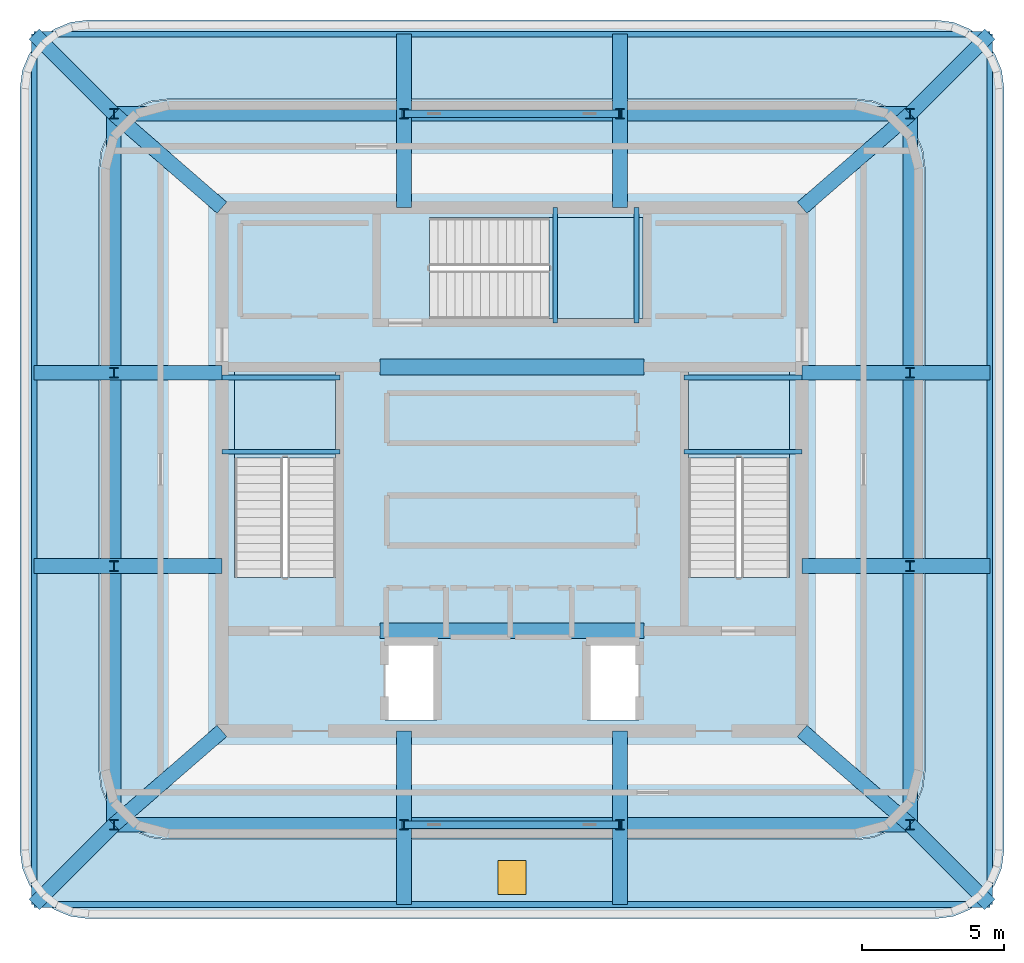
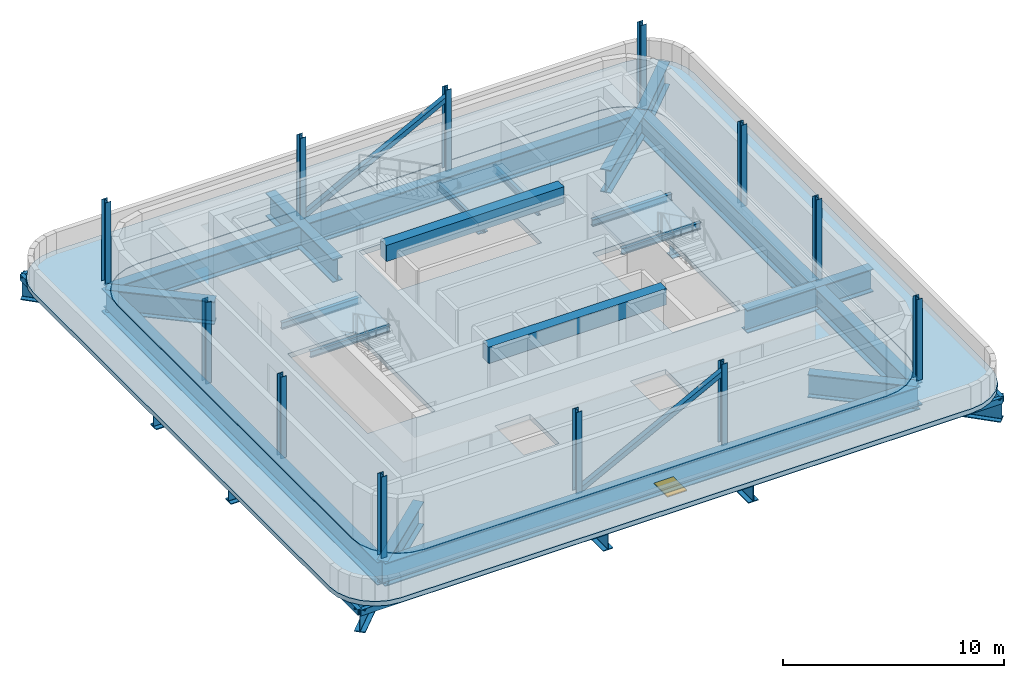
# One storey, part 1 of 5: 32 beams, 12 columns, 5 slabs, 2 members, 1 door, 1 opening, 3 elements without a shape of their own.
"""IFC4 building model written with IfcOpenShell, lengths in metres."""

from ifc_helpers import new_model, si_unit, direction, frame, origin, origin_2d, place, context, subcontext, project, spatial, polyline, rectangle, hollow_rectangle, i_section, outline, extrude, material, layer, layer_set, material_profile, profile_set, type_object, element, fill, aggregate, save


model = new_model("IFC4")

# Units and contexts
model_context = context("Model", 3, precision=1e-05, world=origin(), true_north=direction((0.0, 1.0)))
body_context = subcontext(model_context, "Body", "Model", "MODEL_VIEW")
ifc_project = project(units=[si_unit("LENGTHUNIT", "METRE"), si_unit("AREAUNIT", "SQUARE_METRE"), si_unit("VOLUMEUNIT", "CUBIC_METRE"), si_unit("PLANEANGLEUNIT", "RADIAN"), si_unit("MASSUNIT", "GRAM", prefix="KILO")], contexts=[model_context])

# Site, building, storey
site_placement = place(None, origin())
site = spatial("IfcSite", under=ifc_project, at=site_placement, CompositionType="ELEMENT")
building_placement = place(site_placement, origin())
building = spatial("IfcBuilding", under=site, at=building_placement, Name="Punatoya Terracotta Tower", CompositionType="ELEMENT")
storey_placement = place(building_placement, frame((0.0, 0.0, 361.800048828125)))
storey = spatial("IfcBuildingStorey", under=building, at=storey_placement, Name="L85", CompositionType="ELEMENT", Elevation=361.800048828125)

# Columns
ifc_material_1 = material(Name="Steel S355", Category="steel")
ifc_material_profile_1 = material_profile(ifc_material_1, i_section(OverallWidth=0.300048828125, OverallDepth=0.360107421875, WebThickness=0.012451171875, FlangeThickness=0.0224609375, FilletRadius=0.01806640625, at=origin_2d()))
ifc_profile_set_1 = profile_set([ifc_material_profile_1], Name="Steel S355")
column_type = type_object("IfcColumnType", Name="COL-CR-2", PredefinedType="COLUMN", material=ifc_profile_set_1)
for number, where, z_axis, x_axis, name in (
    (1, (-3.800048828125, -12.5, 0.0), (0.0, 0.0, 1.0), (1.0, 0.0, 0.0), "L85 Baradari Crown Column CS1"),
    (2, (3.800048828125, -12.5, 0.0), (0.0, 0.0, 1.0), (1.0, 0.0, 0.0), "L85 Baradari Crown Column CS2"),
    (3, (-3.800048828125, 12.5, 0.0), (0.0, 0.0, 1.0), (1.0, 0.0, 0.0), "L85 Baradari Crown Column CN1"),
    (4, (3.800048828125, 12.5, 0.0), (0.0, 0.0, 1.0), (1.0, 0.0, 0.0), "L85 Baradari Crown Column CN2"),
    (5, (-14.0, -3.39990234375, 0.0), (0.0, 0.0, 1.0), (1.0, 0.0, 0.0), "L85 Baradari Crown Column CW1"),
    (6, (-14.0, 3.39990234375, 0.0), (0.0, 0.0, 1.0), (1.0, 0.0, 0.0), "L85 Baradari Crown Column CW2"),
    (7, (14.0, -3.39990234375, 0.0), (0.0, 0.0, 1.0), (1.0, 0.0, 0.0), "L85 Baradari Crown Column CE1"),
    (8, (14.0, 3.39990234375, 0.0), (0.0, 0.0, 1.0), (1.0, 0.0, 0.0), "L85 Baradari Crown Column CE2"),
    (9, (-14.0, -12.5, 0.0), (0.0, 0.0, 1.0), (1.0, 0.0, 0.0), "L85 Baradari Crown Column CRN1"),
    (10, (14.0, -12.5, 0.0), (0.0, 0.0, 1.0), (1.0, 0.0, 0.0), "L85 Baradari Crown Column CRN2"),
    (11, (14.0, 12.5, 0.0), (0.0, 0.0, 1.0), (1.0, 0.0, 0.0), "L85 Baradari Crown Column CRN3"),
    (12, (-14.0, 12.5, 0.0), (0.0, 0.0, 1.0), (1.0, 0.0, 0.0), "L85 Baradari Crown Column CRN4"),
):
    element("IfcColumn", number, at=place(storey_placement, frame(where, z_axis=z_axis, x_axis=x_axis)), inside=storey, type_object=column_type, Name=name, PredefinedType="COLUMN", context=body_context, shape_type="SweptSolid", body=[
        extrude(i_section(OverallWidth=0.300048828125, OverallDepth=0.360107421875, WebThickness=0.012451171875, FlangeThickness=0.0224609375, FilletRadius=0.01806640625, at=origin_2d()), origin(), (0.0, 0.0, 1.0), 4.498046875),
    ])

# Beams
ifc_material_profile_2 = material_profile(ifc_material_1, hollow_rectangle(XDim=0.199951171875, YDim=0.320068359375, WallThickness=0.01611328125, at=origin_2d()))
ifc_profile_set_2 = profile_set([ifc_material_profile_2], Name="Steel S355")
beam_type_1 = type_object("IfcBeamType", Name="BM-CRN-320", PredefinedType="BEAM", material=ifc_profile_set_2)
for number, where, z_axis, x_axis, name in (
    (13, (-16.800048828125, -15.300048828125, -0.43994140625), (1.0, 0.0, 0.0), (0.0, 1.0, 0.0), "BM-L85-OS"),
    (14, (-16.800048828125, 15.300048828125, -0.43994140625), (1.0, 0.0, 0.0), (0.0, 1.0, 0.0), "BM-L85-ON"),
):
    element("IfcBeam", number, at=place(storey_placement, frame(where, z_axis=z_axis, x_axis=x_axis)), inside=storey, type_object=beam_type_1, Name=name, PredefinedType="BEAM", context=body_context, shape_type="SweptSolid", body=[
        extrude(hollow_rectangle(XDim=0.199951171875, YDim=0.320068359375, WallThickness=0.01611328125, at=origin_2d()), origin(), (0.0, 0.0, 1.0), 33.60009765625),
    ])
for number, where, z_axis, x_axis, name in (
    (15, (-16.800048828125, -15.300048828125, -0.43994140625), (0.0, 1.0, 0.0), (-1.0, 0.0, 0.0), "BM-L85-OW"),
    (16, (16.800048828125, -15.300048828125, -0.43994140625), (0.0, 1.0, 0.0), (-1.0, 0.0, 0.0), "BM-L85-OE"),
):
    element("IfcBeam", number, at=place(storey_placement, frame(where, z_axis=z_axis, x_axis=x_axis)), inside=storey, type_object=beam_type_1, Name=name, PredefinedType="BEAM", context=body_context, shape_type="SweptSolid", body=[
        extrude(hollow_rectangle(XDim=0.199951171875, YDim=0.320068359375, WallThickness=0.01611328125, at=origin_2d()), origin(), (0.0, 0.0, 1.0), 30.60009765625),
    ])
ifc_material_2 = material(Name="Concrete C50/60", Category="concrete")
ifc_material_profile_3 = material_profile(ifc_material_2, rectangle(XDim=0.550048828125, YDim=0.89990234375, at=origin_2d()))
ifc_profile_set_3 = profile_set([ifc_material_profile_3], Name="Concrete C50/60")
beam_type_2 = type_object("IfcBeamType", Name="BM-RC-900", PredefinedType="LINTEL", material=ifc_profile_set_3)
for number, where, z_axis, x_axis, name in (
    (17, (-4.64990234375, -5.679931640625, 3.829833984375), (1.0, 0.0, 0.0), (0.0, 1.0, 0.0), "L85 Core Coupling Lintel CSW"),
    (18, (-4.64990234375, 3.60009765625, 3.829833984375), (1.0, 0.0, 0.0), (0.0, 1.0, 0.0), "L85 Core Coupling Lintel CNW"),
):
    element("IfcBeam", number, at=place(storey_placement, frame(where, z_axis=z_axis, x_axis=x_axis)), inside=storey, type_object=beam_type_2, Name=name, PredefinedType="LINTEL", context=body_context, shape_type="SweptSolid", body=[
        extrude(rectangle(XDim=0.550048828125, YDim=0.89990234375, at=origin_2d()), origin(), (0.0, 0.0, 1.0), 9.2998046875),
    ])
ifc_material_profile_4 = material_profile(ifc_material_1, i_section(OverallWidth=0.169921875, OverallDepth=0.360107421875, WebThickness=0.008056640625, FlangeThickness=0.0126953125, FilletRadius=0.01806640625, at=origin_2d()))
ifc_profile_set_4 = profile_set([ifc_material_profile_4], Name="Steel S355")
beam_type_3 = type_object("IfcBeamType", Name="BM-SEC-360", PredefinedType="JOIST", material=ifc_profile_set_4)
for number, where, z_axis, x_axis, name in (
    (19, (-10.199951171875, 0.6201171875, 1.869873046875), (1.0, 0.0, 0.0), (0.0, 1.0, 0.0), "BM-L85-ST-1-LD1A"),
    (20, (-10.199951171875, 3.22998046875, 1.869873046875), (1.0, 0.0, 0.0), (0.0, 1.0, 0.0), "BM-L85-ST-1-LD1B"),
    (21, (6.050048828125, 0.6201171875, 1.869873046875), (1.0, 0.0, 0.0), (0.0, 1.0, 0.0), "BM-L85-ST-2-LD1A"),
    (22, (6.050048828125, 3.22998046875, 1.869873046875), (1.0, 0.0, 0.0), (0.0, 1.0, 0.0), "BM-L85-ST-2-LD1B"),
):
    element("IfcBeam", number, at=place(storey_placement, frame(where, z_axis=z_axis, x_axis=x_axis)), inside=storey, type_object=beam_type_3, Name=name, PredefinedType="JOIST", context=body_context, shape_type="SweptSolid", body=[
        extrude(i_section(OverallWidth=0.169921875, OverallDepth=0.360107421875, WebThickness=0.008056640625, FlangeThickness=0.0126953125, FilletRadius=0.01806640625, at=origin_2d()), origin(), (0.0, 0.0, 1.0), 4.14990234375),
    ])
for number, where, z_axis, x_axis, name in (
    (23, (1.52001953125, 5.14990234375, 1.869873046875), (0.0, 1.0, 0.0), (-1.0, 0.0, 0.0), "BM-L85-ST-3-LD1A"),
    (24, (4.3798828125, 5.14990234375, 1.869873046875), (0.0, 1.0, 0.0), (-1.0, 0.0, 0.0), "BM-L85-ST-3-LD1B"),
):
    element("IfcBeam", number, at=place(storey_placement, frame(where, z_axis=z_axis, x_axis=x_axis)), inside=storey, type_object=beam_type_3, Name=name, PredefinedType="JOIST", context=body_context, shape_type="SweptSolid", body=[
        extrude(i_section(OverallWidth=0.169921875, OverallDepth=0.360107421875, WebThickness=0.008056640625, FlangeThickness=0.0126953125, FilletRadius=0.01806640625, at=origin_2d()), origin(), (0.0, 0.0, 1.0), 4.050048828125),
    ])
ifc_material_3 = material(Name="Steel S460", Category="steel")
ifc_material_profile_5 = material_profile(ifc_material_3, i_section(OverallWidth=0.52001953125, OverallDepth=1.280029296875, WebThickness=0.031982421875, FlangeThickness=0.050048828125, FilletRadius=0.01806640625, at=origin_2d()))
ifc_profile_set_5 = profile_set([ifc_material_profile_5], Name="Steel S460")
beam_type_4 = type_object("IfcBeamType", Name="BM-TG-NCK", PredefinedType="BEAM", material=ifc_profile_set_5)
for number, where, z_axis, x_axis, name in (
    (25, (-3.800048828125, -15.300048828125, -0.920166015625), (0.0, 1.0, 0.0), (-1.0, 0.0, 0.0), "BM-L85-CS1"),
    (26, (3.800048828125, -15.300048828125, -0.920166015625), (0.0, 1.0, 0.0), (-1.0, 0.0, 0.0), "BM-L85-CS2"),
    (27, (-3.800048828125, 9.199951171875, -0.920166015625), (0.0, 1.0, 0.0), (-1.0, 0.0, 0.0), "BM-L85-CN1"),
    (28, (3.800048828125, 9.199951171875, -0.920166015625), (0.0, 1.0, 0.0), (-1.0, 0.0, 0.0), "BM-L85-CN2"),
):
    element("IfcBeam", number, at=place(storey_placement, frame(where, z_axis=z_axis, x_axis=x_axis)), inside=storey, type_object=beam_type_4, Name=name, PredefinedType="BEAM", context=body_context, shape_type="SweptSolid", body=[
        extrude(i_section(OverallWidth=0.52001953125, OverallDepth=1.280029296875, WebThickness=0.031982421875, FlangeThickness=0.050048828125, FilletRadius=0.01806640625, at=origin_2d()), origin(), (0.0, 0.0, 1.0), 6.10009765625),
    ])
for number, where, z_axis, x_axis, name in (
    (29, (-16.800048828125, -3.39990234375, -0.920166015625), (1.0, 0.0, 0.0), (0.0, 1.0, 0.0), "BM-L85-CW1"),
    (30, (-16.800048828125, 3.39990234375, -0.920166015625), (1.0, 0.0, 0.0), (0.0, 1.0, 0.0), "BM-L85-CW2"),
    (31, (10.199951171875, -3.39990234375, -0.920166015625), (1.0, 0.0, 0.0), (0.0, 1.0, 0.0), "BM-L85-CE1"),
    (32, (10.199951171875, 3.39990234375, -0.920166015625), (1.0, 0.0, 0.0), (0.0, 1.0, 0.0), "BM-L85-CE2"),
):
    element("IfcBeam", number, at=place(storey_placement, frame(where, z_axis=z_axis, x_axis=x_axis)), inside=storey, type_object=beam_type_4, Name=name, PredefinedType="BEAM", context=body_context, shape_type="SweptSolid", body=[
        extrude(i_section(OverallWidth=0.52001953125, OverallDepth=1.280029296875, WebThickness=0.031982421875, FlangeThickness=0.050048828125, FilletRadius=0.01806640625, at=origin_2d()), origin(), (0.0, 0.0, 1.0), 6.60009765625),
    ])
beam_1_placement = place(storey_placement, frame((-16.800048828125, -15.300048828125, -0.920166015625), z_axis=(0.707106781187, 0.707106781187, 0.0), x_axis=(-0.707106781187, 0.707106781187, 0.0)))
element("IfcBeam", 33, at=beam_1_placement, inside=storey, type_object=beam_type_4, Name="BM-L85-CD1A", PredefinedType="BEAM", context=body_context, shape_type="SweptSolid", body=[
    extrude(i_section(OverallWidth=0.52001953125, OverallDepth=1.280029296875, WebThickness=0.031982421875, FlangeThickness=0.050048828125, FilletRadius=0.01806640625, at=origin_2d()), origin(), (0.0, 0.0, 1.0), 3.9599609375),
])
beam_2_placement = place(storey_placement, frame((-14.0, -12.5, -0.920166015625), z_axis=(0.755032486424, 0.655687383167, 0.0), x_axis=(-0.655687383167, 0.755032486424, 0.0)))
element("IfcBeam", 34, at=beam_2_placement, inside=storey, type_object=beam_type_4, Name="BM-L85-CD1B", PredefinedType="BEAM", context=body_context, shape_type="SweptSolid", body=[
    extrude(i_section(OverallWidth=0.52001953125, OverallDepth=1.280029296875, WebThickness=0.031982421875, FlangeThickness=0.050048828125, FilletRadius=0.01806640625, at=origin_2d()), origin(), (0.0, 0.0, 1.0), 5.032958984375),
])
beam_3_placement = place(storey_placement, frame((16.800048828125, -15.300048828125, -0.920166015625), z_axis=(-0.707106781187, 0.707106781187, 0.0), x_axis=(-0.707106781187, -0.707106781187, 0.0)))
element("IfcBeam", 35, at=beam_3_placement, inside=storey, type_object=beam_type_4, Name="BM-L85-CD2A", PredefinedType="BEAM", context=body_context, shape_type="SweptSolid", body=[
    extrude(i_section(OverallWidth=0.52001953125, OverallDepth=1.280029296875, WebThickness=0.031982421875, FlangeThickness=0.050048828125, FilletRadius=0.01806640625, at=origin_2d()), origin(), (0.0, 0.0, 1.0), 3.9599609375),
])
beam_4_placement = place(storey_placement, frame((14.0, -12.5, -0.920166015625), z_axis=(-0.755032486424, 0.655687383167, 0.0), x_axis=(-0.655687383167, -0.755032486424, 0.0)))
element("IfcBeam", 36, at=beam_4_placement, inside=storey, type_object=beam_type_4, Name="BM-L85-CD2B", PredefinedType="BEAM", context=body_context, shape_type="SweptSolid", body=[
    extrude(i_section(OverallWidth=0.52001953125, OverallDepth=1.280029296875, WebThickness=0.031982421875, FlangeThickness=0.050048828125, FilletRadius=0.01806640625, at=origin_2d()), origin(), (0.0, 0.0, 1.0), 5.032958984375),
])
beam_5_placement = place(storey_placement, frame((16.800048828125, 15.300048828125, -0.920166015625), z_axis=(-0.707106781187, -0.707106781187, 0.0), x_axis=(0.707106781187, -0.707106781187, 0.0)))
element("IfcBeam", 37, at=beam_5_placement, inside=storey, type_object=beam_type_4, Name="BM-L85-CD3A", PredefinedType="BEAM", context=body_context, shape_type="SweptSolid", body=[
    extrude(i_section(OverallWidth=0.52001953125, OverallDepth=1.280029296875, WebThickness=0.031982421875, FlangeThickness=0.050048828125, FilletRadius=0.01806640625, at=origin_2d()), origin(), (0.0, 0.0, 1.0), 3.9599609375),
])
beam_6_placement = place(storey_placement, frame((14.0, 12.5, -0.920166015625), z_axis=(-0.755032486424, -0.655687383167, 0.0), x_axis=(0.655687383167, -0.755032486424, 0.0)))
element("IfcBeam", 38, at=beam_6_placement, inside=storey, type_object=beam_type_4, Name="BM-L85-CD3B", PredefinedType="BEAM", context=body_context, shape_type="SweptSolid", body=[
    extrude(i_section(OverallWidth=0.52001953125, OverallDepth=1.280029296875, WebThickness=0.031982421875, FlangeThickness=0.050048828125, FilletRadius=0.01806640625, at=origin_2d()), origin(), (0.0, 0.0, 1.0), 5.032958984375),
])
beam_7_placement = place(storey_placement, frame((-16.800048828125, 15.300048828125, -0.920166015625), z_axis=(0.707106781187, -0.707106781187, 0.0), x_axis=(0.707106781187, 0.707106781187, 0.0)))
element("IfcBeam", 39, at=beam_7_placement, inside=storey, type_object=beam_type_4, Name="BM-L85-CD4A", PredefinedType="BEAM", context=body_context, shape_type="SweptSolid", body=[
    extrude(i_section(OverallWidth=0.52001953125, OverallDepth=1.280029296875, WebThickness=0.031982421875, FlangeThickness=0.050048828125, FilletRadius=0.01806640625, at=origin_2d()), origin(), (0.0, 0.0, 1.0), 3.9599609375),
])
beam_8_placement = place(storey_placement, frame((-14.0, 12.5, -0.920166015625), z_axis=(0.755032486424, -0.655687383167, 0.0), x_axis=(0.655687383167, 0.755032486424, 0.0)))
element("IfcBeam", 40, at=beam_8_placement, inside=storey, type_object=beam_type_4, Name="BM-L85-CD4B", PredefinedType="BEAM", context=body_context, shape_type="SweptSolid", body=[
    extrude(i_section(OverallWidth=0.52001953125, OverallDepth=1.280029296875, WebThickness=0.031982421875, FlangeThickness=0.050048828125, FilletRadius=0.01806640625, at=origin_2d()), origin(), (0.0, 0.0, 1.0), 5.032958984375),
])
for number, where, z_axis, x_axis, name in (
    (41, (-14.0, -12.5, -0.920166015625), (1.0, 0.0, 0.0), (0.0, 1.0, 0.0), "BM-L85-RS"),
    (42, (-14.0, 12.5, -0.920166015625), (1.0, 0.0, 0.0), (0.0, 1.0, 0.0), "BM-L85-RN"),
):
    element("IfcBeam", number, at=place(storey_placement, frame(where, z_axis=z_axis, x_axis=x_axis)), inside=storey, type_object=beam_type_4, Name=name, PredefinedType="BEAM", context=body_context, shape_type="SweptSolid", body=[
        extrude(i_section(OverallWidth=0.52001953125, OverallDepth=1.280029296875, WebThickness=0.031982421875, FlangeThickness=0.050048828125, FilletRadius=0.01806640625, at=origin_2d()), origin(), (0.0, 0.0, 1.0), 28.0),
    ])
for number, where, z_axis, x_axis, name in (
    (43, (-14.0, -12.5, -0.920166015625), (0.0, 1.0, 0.0), (-1.0, 0.0, 0.0), "BM-L85-RW"),
    (44, (14.0, -12.5, -0.920166015625), (0.0, 1.0, 0.0), (-1.0, 0.0, 0.0), "BM-L85-RE"),
):
    element("IfcBeam", number, at=place(storey_placement, frame(where, z_axis=z_axis, x_axis=x_axis)), inside=storey, type_object=beam_type_4, Name=name, PredefinedType="BEAM", context=body_context, shape_type="SweptSolid", body=[
        extrude(i_section(OverallWidth=0.52001953125, OverallDepth=1.280029296875, WebThickness=0.031982421875, FlangeThickness=0.050048828125, FilletRadius=0.01806640625, at=origin_2d()), origin(), (0.0, 0.0, 1.0), 25.0),
    ])

# Members
ifc_material_profile_6 = material_profile(ifc_material_1, hollow_rectangle(XDim=0.260009765625, YDim=0.260009765625, WallThickness=0.013916015625, at=origin_2d()))
ifc_profile_set_6 = profile_set([ifc_material_profile_6], Name="Steel S355")
member_type = type_object("IfcMemberType", Name="MEM-CRN-260", PredefinedType="BRACE", material=ifc_profile_set_6)
for number, where, z_axis, x_axis, name in (
    (45, (-3.800048828125, -12.5, 0.02001953125), (0.886838693797, 0.0, 0.462079139524), (0.0, 1.0, 0.0), "L85 Crown Frame Wind Brace S"),
    (46, (-3.800048828125, 12.5, 0.02001953125), (0.886838693797, 0.0, 0.462079139524), (0.0, 1.0, 0.0), "L85 Crown Frame Wind Brace N"),
):
    element("IfcMember", number, at=place(storey_placement, frame(where, z_axis=z_axis, x_axis=x_axis)), inside=storey, type_object=member_type, Name=name, PredefinedType="BRACE", context=body_context, shape_type="SweptSolid", body=[
        extrude(hollow_rectangle(XDim=0.260009765625, YDim=0.260009765625, WallThickness=0.013916015625, at=origin_2d()), origin(), (0.0, 0.0, 1.0), 8.56982421875),
    ])

# Stair, slab
ifc_material_4 = material(Name="Concrete C40/50", Category="concrete")
stair_type_1 = type_object("IfcStairType", Name="STR-TER-1450", PredefinedType="HALF_TURN_STAIR", material=ifc_material_4)
stair_1_placement = place(storey_placement, origin())
stair_1 = element("IfcStair", 47, at=stair_1_placement, inside=storey, type_object=stair_type_1, Name="L85 Protected Core Exit Stair ST-3", PredefinedType="HALF_TURN_STAIR")
ifc_layer_1 = layer(ifc_material_4, 0.1650390625)
ifc_layer_set_1 = layer_set([ifc_layer_1], Name="Concrete C40/50")
slab_type_1 = type_object("IfcSlabType", Name="SLB-LND-165", PredefinedType="LANDING", material=ifc_layer_set_1)
slab_1_placement = place(storey_placement, frame((0.0, 0.0, 2.050048828125)))
slab_1 = element("IfcSlab", 48, at=slab_1_placement, type_object=slab_type_1, Name="ST-3 landing 1", PredefinedType="LANDING", context=body_context, shape_type="SweptSolid", body=[
    extrude(outline(polyline([(1.300048828125, 5.300048828125), (4.60009765625, 5.300048828125), (4.60009765625, 8.85009765625), (1.300048828125, 8.85009765625), (1.300048828125, 5.300048828125)])), origin(), (0.0, 0.0, 1.0), 0.199951171875),
])
aggregate(stair_1, [slab_1])

stair_type_2 = type_object("IfcStairType", Name="STR-CORE-1550", PredefinedType="HALF_TURN_STAIR", material=ifc_material_4)
stair_2_placement = place(storey_placement, origin())
stair_2 = element("IfcStair", 49, at=stair_2_placement, inside=storey, type_object=stair_type_2, Name="L85 Protected Core Exit Stair ST-1", PredefinedType="HALF_TURN_STAIR")
ifc_layer_2 = layer(ifc_material_4, 0.179931640625)
ifc_layer_set_2 = layer_set([ifc_layer_2], Name="Concrete C40/50")
slab_type_2 = type_object("IfcSlabType", Name="SLB-LND-180", PredefinedType="LANDING", material=ifc_layer_set_2)
slab_2_placement = place(storey_placement, frame((0.0, 0.0, 2.050048828125)))
slab_2 = element("IfcSlab", 50, at=slab_2_placement, type_object=slab_type_2, Name="ST-1 landing 1", PredefinedType="LANDING", context=body_context, shape_type="SweptSolid", body=[
    extrude(outline(polyline([(-6.199951171875, 0.39990234375), (-6.199951171875, 3.449951171875), (-9.75, 3.449951171875), (-9.75, 0.39990234375), (-6.199951171875, 0.39990234375)])), origin(), (0.0, 0.0, 1.0), 0.199951171875),
])
aggregate(stair_2, [slab_2])

stair_type_3 = type_object("IfcStairType", Name="STR-LOB-1650", PredefinedType="HALF_TURN_STAIR", material=ifc_material_4)
stair_3_placement = place(storey_placement, origin())
stair_3 = element("IfcStair", 51, at=stair_3_placement, inside=storey, type_object=stair_type_3, Name="L85 Protected Core Exit Stair ST-2", PredefinedType="HALF_TURN_STAIR")
slab_3_placement = place(storey_placement, frame((0.0, 0.0, 2.050048828125)))
slab_3 = element("IfcSlab", 52, at=slab_3_placement, type_object=slab_type_2, Name="ST-2 landing 1", PredefinedType="LANDING", context=body_context, shape_type="SweptSolid", body=[
    extrude(outline(polyline([(9.75, 0.39990234375), (9.75, 3.449951171875), (6.199951171875, 3.449951171875), (6.199951171875, 0.39990234375), (9.75, 0.39990234375)])), origin(), (0.0, 0.0, 1.0), 0.199951171875),
])
aggregate(stair_3, [slab_3])

# Slab
ifc_layer_3 = layer(ifc_material_4, 0.280029296875)
ifc_layer_set_3 = layer_set([ifc_layer_3], Name="Concrete C40/50")
slab_type_3 = type_object("IfcSlabType", Name="SLB-POD-280", PredefinedType="FLOOR", material=ifc_layer_set_3)
slab_4_placement = place(storey_placement, frame((0.0, 0.0, -0.280029296875)))
element("IfcSlab", 53, at=slab_4_placement, inside=storey, type_object=slab_type_3, Name="L85 Structural Floor Slab", PredefinedType="FLOOR", context=body_context, shape_type="SweptSolid", body=[
    extrude(outline(polyline([(-12.10009765625, -13.0), (-12.72119140625, -12.918212890625), (-13.300048828125, -12.678466796875), (-13.797119140625, -12.297119140625), (-14.178466796875, -11.800048828125), (-14.418212890625, -11.22119140625), (-14.5, -10.60009765625), (-14.5, 10.60009765625), (-14.418212890625, 11.22119140625), (-14.178466796875, 11.800048828125), (-13.797119140625, 12.297119140625), (-13.300048828125, 12.678466796875), (-12.72119140625, 12.918212890625), (-12.10009765625, 13.0), (12.10009765625, 13.0), (12.72119140625, 12.918212890625), (13.300048828125, 12.678466796875), (13.797119140625, 12.297119140625), (14.178466796875, 11.800048828125), (14.418212890625, 11.22119140625), (14.5, 10.60009765625), (14.5, -10.60009765625), (14.418212890625, -11.22119140625), (14.178466796875, -11.800048828125), (13.797119140625, -12.297119140625), (13.300048828125, -12.678466796875), (12.72119140625, -12.918212890625), (12.10009765625, -13.0), (-12.10009765625, -13.0)]), holes=[polyline([(-4.469970703125, -6.179931640625), (-4.469970703125, -8.820068359375), (-2.6298828125, -8.820068359375), (-2.6298828125, -6.179931640625), (-4.469970703125, -6.179931640625)]), polyline([(2.6298828125, -6.179931640625), (2.6298828125, -8.820068359375), (4.469970703125, -8.820068359375), (4.469970703125, -6.179931640625), (2.6298828125, -6.179931640625)]), polyline([(-9.75, -3.79931640625), (-6.199951171875, -3.79931640625), (-6.199951171875, 3.449951171875), (-9.75, 3.449951171875), (-9.75, -3.79931640625)]), polyline([(6.199951171875, 3.449951171875), (6.199951171875, -3.79931640625), (9.75, -3.79931640625), (9.75, 3.449951171875), (6.199951171875, 3.449951171875)]), polyline([(4.60009765625, 8.85009765625), (-2.899169921875, 8.85009765625), (-2.899169921875, 5.300048828125), (4.60009765625, 5.300048828125), (4.60009765625, 8.85009765625)])]), origin(), (0.0, 0.0, 1.0), 0.280029296875),
])

# Slab, opening, door
ifc_layer_4 = layer(ifc_material_4, 0.25)
ifc_layer_set_4 = layer_set([ifc_layer_4], Name="Concrete C40/50")
slab_type_4 = type_object("IfcSlabType", Name="SLB-ROF-250", PredefinedType="ROOF", material=ifc_layer_set_4)
slab_5_placement = place(storey_placement, frame((0.0, 0.0, -0.25)))
slab_5 = element("IfcSlab", 54, at=slab_5_placement, inside=storey, type_object=slab_type_4, Name="L85 Baradari Crown Maintenance Step Roof", PredefinedType="ROOF", context=body_context, shape_type="SweptSolid", body=[
    extrude(outline(polyline([(-15.521240234375, -15.71826171875), (-14.89990234375, -15.800048828125), (14.89990234375, -15.800048828125), (15.521240234375, -15.71826171875), (16.10009765625, -15.478515625), (16.59716796875, -15.09716796875), (16.978515625, -14.60009765625), (17.21826171875, -14.021240234375), (17.300048828125, -13.39990234375), (17.300048828125, 13.39990234375), (17.21826171875, 14.021240234375), (16.978515625, 14.60009765625), (16.59716796875, 15.09716796875), (16.10009765625, 15.478515625), (15.521240234375, 15.71826171875), (14.89990234375, 15.800048828125), (-14.89990234375, 15.800048828125), (-15.521240234375, 15.71826171875), (-16.10009765625, 15.478515625), (-16.59716796875, 15.09716796875), (-16.978515625, 14.60009765625), (-17.21826171875, 14.021240234375), (-17.300048828125, 13.39990234375), (-17.300048828125, -13.39990234375), (-17.21826171875, -14.021240234375), (-16.978515625, -14.60009765625), (-16.59716796875, -15.09716796875), (-16.10009765625, -15.478515625), (-15.521240234375, -15.71826171875)]), holes=[polyline([(13.31005859375, -12.696044921875), (12.726318359375, -12.937744140625), (12.101318359375, -13.02001953125), (-12.101318359375, -13.02001953125), (-12.726318359375, -12.937744140625), (-13.31005859375, -12.696044921875), (-13.811279296875, -12.311279296875), (-14.196044921875, -11.81005859375), (-14.437744140625, -11.226318359375), (-14.52001953125, -10.601318359375), (-14.52001953125, 10.601318359375), (-14.437744140625, 11.226318359375), (-14.196044921875, 11.81005859375), (-13.811279296875, 12.311279296875), (-13.31005859375, 12.696044921875), (-12.726318359375, 12.937744140625), (-12.101318359375, 13.02001953125), (12.101318359375, 13.02001953125), (12.726318359375, 12.937744140625), (13.31005859375, 12.696044921875), (13.811279296875, 12.311279296875), (14.196044921875, 11.81005859375), (14.437744140625, 11.226318359375), (14.52001953125, 10.601318359375), (14.52001953125, -10.601318359375), (14.437744140625, -11.226318359375), (14.196044921875, -11.81005859375), (13.811279296875, -12.311279296875), (13.31005859375, -12.696044921875)]), polyline([(0.5, -13.75), (0.5, -14.949951171875), (-0.5, -14.949951171875), (-0.5, -13.75), (0.5, -13.75)])]), origin(), (0.0, 0.0, 1.0), 0.25),
])
opening_placement = place(slab_5_placement, frame((0.0, -14.35009765625, 0.0)))
opening = element("IfcOpeningElement", 55, at=opening_placement, cuts=slab_5, Name="Opening RHT-1", PredefinedType="OPENING", context=body_context, shape_type="SweptSolid", body=[
    extrude(rectangle(XDim=1.0, YDim=1.199951171875, at=origin_2d()), frame((0.0, 0.0, -0.010009765625)), (0.0, 0.0, 1.0), 0.320068359375),
])
ifc_material_5 = material(Name="Insulated Aluminium Roof Hatch", Category="aluminium")
door_type = type_object("IfcDoorType", Name="DR-HTCH-1000", OperationType="NOTDEFINED", PredefinedType="TRAPDOOR", material=ifc_material_5)
door_placement = place(opening_placement, frame((0.0, 0.0, 0.25)))
door = element("IfcDoor", 56, at=door_placement, inside=storey, type_object=door_type, Name="L85 Crown Step-Roof Maintenance Hatch", OperationType="SINGLE_SWING_LEFT", OverallHeight=1.199951171875, OverallWidth=1.0, PredefinedType="TRAPDOOR", context=body_context, shape_type="SweptSolid", body=[
    extrude(rectangle(XDim=1.0, YDim=1.199951171875, at=origin_2d()), origin(), (0.0, 0.0, 1.0), 0.050048828125),
])
fill(opening, door)

save(model, "model.ifc")
